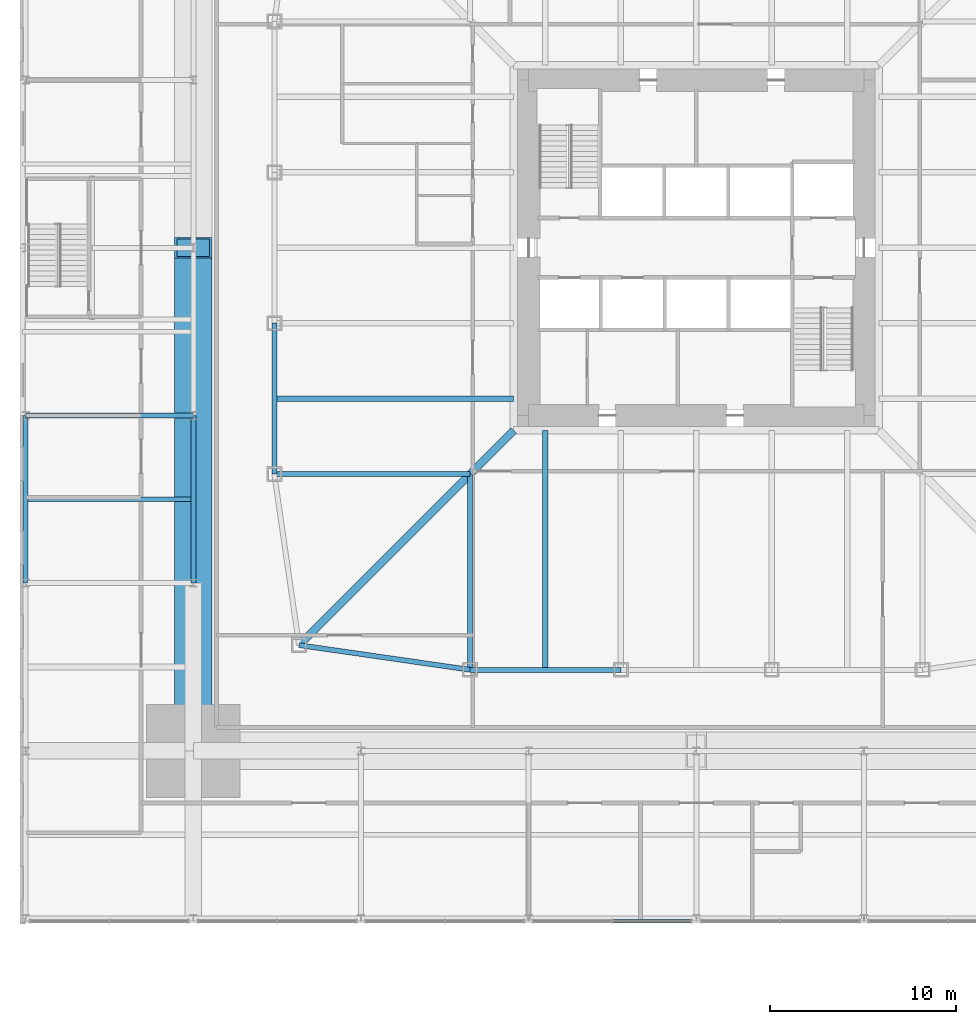
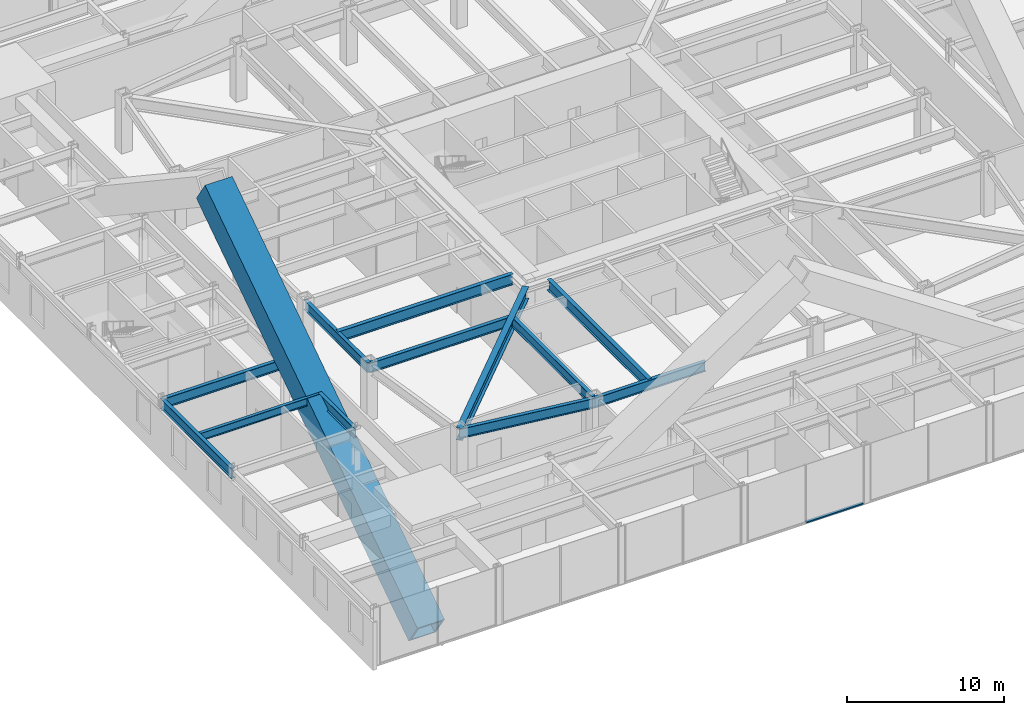
# One storey, part 7 of 32: 12 beams, 2 members, 1 element without a shape of its own.
"""IFC4 building model written with IfcOpenShell, lengths in metres."""

from ifc_helpers import new_model, si_unit, direction, frame, origin, origin_2d, place, context, subcontext, project, spatial, rectangle, hollow_rectangle, i_section, extrude, material, material_profile, profile_set, type_object, element, aggregate, save


model = new_model("IFC4")

# Units and contexts
model_context = context("Model", 3, precision=1e-05, world=origin(), true_north=direction((0.0, 1.0)))
body_context = subcontext(model_context, "Body", "Model", "MODEL_VIEW")
ifc_project = project(units=[si_unit("LENGTHUNIT", "METRE"), si_unit("AREAUNIT", "SQUARE_METRE"), si_unit("VOLUMEUNIT", "CUBIC_METRE"), si_unit("PLANEANGLEUNIT", "RADIAN"), si_unit("MASSUNIT", "GRAM", prefix="KILO")], contexts=[model_context])

# Site, building, storey
site_placement = place(None, origin())
site = spatial("IfcSite", under=ifc_project, at=site_placement, CompositionType="ELEMENT")
building_placement = place(site_placement, origin())
building = spatial("IfcBuilding", under=site, at=building_placement, Name="Iwan Alto Co-Living Towers", CompositionType="ELEMENT")
storey_placement = place(building_placement, frame((0.0, 0.0, 6.0)))
storey = spatial("IfcBuildingStorey", under=building, at=storey_placement, Name="L01", CompositionType="ELEMENT", Elevation=6.0)

# Curtain wall, member
ifc_material_1 = material(Name="Bronze aluminium stick frame", Category="aluminium")
curtain_wall_type = type_object("IfcCurtainWallType", Name="CURTAIN WALL CW-E", PredefinedType="NOTDEFINED", material=ifc_material_1)
curtain_wall_placement = place(storey_placement, origin())
curtain_wall = element("IfcCurtainWall", 1, at=curtain_wall_placement, inside=storey, type_object=curtain_wall_type, Name="Podium curtain wall S L01", PredefinedType="NOTDEFINED")
ifc_material_2 = material(Name="Aluminium 6063-T6 bronze anodised", Category="aluminium")
ifc_material_profile_1 = material_profile(ifc_material_2, rectangle(XDim=0.199951171875, YDim=0.10009765625, at=origin_2d()), Name="AL 200X100")
ifc_profile_set_1 = profile_set([ifc_material_profile_1], Name="Aluminium 6063-T6 bronze anodised")
member_type_1 = type_object("IfcMemberType", Name="CW-E TRANSOM 200X100", PredefinedType="USERDEFINED", material=ifc_profile_set_1)
member_1_placement = place(storey_placement, frame((-4.4599609375, -36.14990234375, 0.050048828125), z_axis=(1.0, 0.0, 0.0), x_axis=(0.0, 1.0, 0.0)))
member_1 = element("IfcMember", 2, at=member_1_placement, type_object=member_type_1, Name="CW-E transom 2.1", ObjectType="TRANSOM", PredefinedType="USERDEFINED", context=body_context, shape_type="SweptSolid", body=[
    extrude(rectangle(XDim=0.199951171875, YDim=0.10009765625, at=origin_2d()), origin(), (0.0, 0.0, 1.0), 4.17431640625),
])
aggregate(curtain_wall, [member_1])

# Beams
ifc_material_3 = material(Name="Steel ASTM A992 Gr 50", Category="steel")
ifc_material_profile_2 = material_profile(ifc_material_3, i_section(OverallWidth=0.2666015625, OverallDepth=0.76953125, WebThickness=0.015625, FlangeThickness=0.025390625, at=origin_2d()), Name="W30X132")
ifc_profile_set_2 = profile_set([ifc_material_profile_2], Name="Steel ASTM A992 Gr 50")
beam_type_1 = type_object("IfcBeamType", Name="PODIUM BEAM W30X132", PredefinedType="BEAM", material=ifc_profile_set_2)
for number, where, z_axis, x_axis, name in (
    (3, (-36.0, -18.0, 3.865234375), (0.0, 1.0, 0.0), (-1.0, 0.0, 0.0), "Podium beam 1/C-1/D L02"),
    (4, (-36.0, -9.0, 3.865234375), (1.0, 0.0, 0.0), (0.0, 1.0, 0.0), "Podium beam 1/D-2/D L02"),
    (5, (-27.0, -18.0, 3.865234375), (0.0, 1.0, 0.0), (-1.0, 0.0, 0.0), "Podium beam 2/C-2/D L02"),
):
    element("IfcBeam", number, at=place(storey_placement, frame(where, z_axis=z_axis, x_axis=x_axis)), inside=storey, type_object=beam_type_1, Name=name, PredefinedType="BEAM", context=body_context, shape_type="SweptSolid", body=[
        extrude(i_section(OverallWidth=0.2666015625, OverallDepth=0.76953125, WebThickness=0.015625, FlangeThickness=0.025390625, at=origin_2d()), origin(), (0.0, 0.0, 1.0), 9.0),
    ])
ifc_material_4 = material(Name="Steel ASTM A992 Gr 50", Category="steel")
ifc_material_profile_3 = material_profile(ifc_material_4, i_section(OverallWidth=0.23046875, OverallDepth=0.6171875, WebThickness=0.01318359375, FlangeThickness=0.022216796875, at=origin_2d()), Name="W24X94")
ifc_profile_set_3 = profile_set([ifc_material_profile_3], Name="Steel ASTM A992 Gr 50")
beam_type_2 = type_object("IfcBeamType", Name="PODIUM SECONDARY BEAM W24X94", PredefinedType="JOIST", material=ifc_profile_set_3)
beam_1_placement = place(storey_placement, frame((-35.86669921875, -13.5, 3.94140625), z_axis=(1.0, 0.0, 0.0), x_axis=(0.0, 1.0, 0.0)))
element("IfcBeam", 6, at=beam_1_placement, inside=storey, type_object=beam_type_2, Name="Podium secondary beam 1/C L02", PredefinedType="JOIST", context=body_context, shape_type="SweptSolid", body=[
    extrude(i_section(OverallWidth=0.23046875, OverallDepth=0.6171875, WebThickness=0.01318359375, FlangeThickness=0.022216796875, at=origin_2d()), origin(), (0.0, 0.0, 1.0), 8.7333984375),
])
ifc_material_5 = material(Name="Steel ASTM A992 Gr 50", Category="steel")
ifc_material_profile_4 = material_profile(ifc_material_5, i_section(OverallWidth=0.424072265625, OverallDepth=0.947509765625, WebThickness=0.02392578125, FlangeThickness=0.042724609375, at=origin_2d()), Name="W36X302")
ifc_profile_set_4 = profile_set([ifc_material_profile_4], Name="Steel ASTM A992 Gr 50")
beam_type_3 = type_object("IfcBeamType", Name="T1 CORNER GIRDER W36X302", PredefinedType="BEAM", material=ifc_profile_set_4)
beam_2_placement = place(storey_placement, frame((-21.32568359375, -21.32568359375, 3.7763671875), z_axis=(0.707106781187, 0.707106781187, 0.0), x_axis=(-0.707106781187, 0.707106781187, 0.0)))
element("IfcBeam", 7, at=beam_2_placement, inside=storey, type_object=beam_type_3, Name="T1 corner girder CSW L02", PredefinedType="BEAM", context=body_context, shape_type="SweptSolid", body=[
    extrude(i_section(OverallWidth=0.424072265625, OverallDepth=0.947509765625, WebThickness=0.02392578125, FlangeThickness=0.042724609375, at=origin_2d()), origin(), (0.0, 0.0, 1.0), 16.296875),
])
ifc_material_6 = material(Name="Steel ASTM A992 Gr 50", Category="steel")
ifc_material_profile_5 = material_profile(ifc_material_6, i_section(OverallWidth=0.2666015625, OverallDepth=0.761962890625, WebThickness=0.014404296875, FlangeThickness=0.021484375, at=origin_2d()), Name="W30X116")
ifc_profile_set_5 = profile_set([ifc_material_profile_5], Name="Steel ASTM A992 Gr 50")
beam_type_4 = type_object("IfcBeamType", Name="T1 EDGE BEAM W30X116", PredefinedType="BEAM", material=ifc_profile_set_5)
beam_3_placement = place(storey_placement, frame((-21.32568359375, -21.32568359375, 3.868896484375), z_axis=(0.989746234347, -0.142836940589, 0.0), x_axis=(0.142836940589, 0.989746234347, 0.0)))
element("IfcBeam", 8, at=beam_3_placement, inside=storey, type_object=beam_type_4, Name="T1 edge beam CSW L02", PredefinedType="BEAM", context=body_context, shape_type="SweptSolid", body=[
    extrude(i_section(OverallWidth=0.2666015625, OverallDepth=0.761962890625, WebThickness=0.014404296875, FlangeThickness=0.021484375, at=origin_2d()), origin(), (0.0, 0.0, 1.0), 9.270751953125),
])
for number, where, z_axis, x_axis, name in (
    (9, (-12.14990234375, -22.64990234375, 3.868896484375), (1.0, 0.0, 0.0), (0.0, 1.0, 0.0), "T1 edge beam S1 L02"),
    (10, (-22.64990234375, -4.050048828125, 3.868896484375), (0.0, -1.0, 0.0), (1.0, 0.0, 0.0), "T1 edge beam W3 L02"),
):
    element("IfcBeam", number, at=place(storey_placement, frame(where, z_axis=z_axis, x_axis=x_axis)), inside=storey, type_object=beam_type_4, Name=name, PredefinedType="BEAM", context=body_context, shape_type="SweptSolid", body=[
        extrude(i_section(OverallWidth=0.2666015625, OverallDepth=0.761962890625, WebThickness=0.014404296875, FlangeThickness=0.021484375, at=origin_2d()), origin(), (0.0, 0.0, 1.0), 8.099853515625),
    ])

# Member
ifc_material_7 = material(Name="Steel ASTM A572 Gr 42", Category="steel")
ifc_material_profile_6 = material_profile(ifc_material_7, hollow_rectangle(XDim=2.0, YDim=2.0, WallThickness=0.139892578125, at=origin_2d()), Name="BOX 2000X2000X140")
ifc_profile_set_6 = profile_set([ifc_material_profile_6], Name="Steel ASTM A572 Gr 42")
member_type_2 = type_object("IfcMemberType", Name="T1 MEGA BRACE BOX 2000X2000X140", PredefinedType="BRACE", material=ifc_profile_set_6)
member_2_placement = place(storey_placement, frame((-27.0, -27.0, -6.0), z_axis=(0.0, 0.832050294338, 0.554700196225), x_axis=(-1.0, 0.0, 0.0)))
element("IfcMember", 11, at=member_2_placement, inside=storey, type_object=member_type_2, Name="T1 mega brace Z1A W 2 lower", PredefinedType="BRACE", context=body_context, shape_type="SweptSolid", body=[
    extrude(hollow_rectangle(XDim=2.0, YDim=2.0, WallThickness=0.139892578125, at=origin_2d()), origin(), (0.0, 0.0, 1.0), 32.449951171875),
])

# Beams
ifc_material_8 = material(Name="Steel ASTM A992 Gr 50", Category="steel")
ifc_material_profile_7 = material_profile(ifc_material_8, i_section(OverallWidth=0.2666015625, OverallDepth=0.761962890625, WebThickness=0.014404296875, FlangeThickness=0.021484375, at=origin_2d()), Name="W30X116")
ifc_profile_set_7 = profile_set([ifc_material_profile_7], Name="Steel ASTM A992 Gr 50")
beam_type_5 = type_object("IfcBeamType", Name="T1 RADIAL BEAM W30X116", PredefinedType="BEAM", material=ifc_profile_set_7)
for number, where, z_axis, x_axis, name in (
    (12, (-12.14990234375, -22.64990234375, 3.868896484375), (0.0, 1.0, 0.0), (-1.0, 0.0, 0.0), "T1 radial beam S1 L02"),
    (13, (-22.64990234375, -12.14990234375, 3.868896484375), (1.0, 0.0, 0.0), (0.0, 1.0, 0.0), "T1 radial beam W4 L02"),
):
    element("IfcBeam", number, at=place(storey_placement, frame(where, z_axis=z_axis, x_axis=x_axis)), inside=storey, type_object=beam_type_5, Name=name, PredefinedType="BEAM", context=body_context, shape_type="SweptSolid", body=[
        extrude(i_section(OverallWidth=0.2666015625, OverallDepth=0.761962890625, WebThickness=0.014404296875, FlangeThickness=0.021484375, at=origin_2d()), origin(), (0.0, 0.0, 1.0), 10.5),
    ])
ifc_material_9 = material(Name="Steel ASTM A992 Gr 50", Category="steel")
ifc_material_profile_8 = material_profile(ifc_material_9, i_section(OverallWidth=0.2919921875, OverallDepth=0.8408203125, WebThickness=0.0146484375, FlangeThickness=0.021728515625, at=origin_2d()), Name="W33X130")
ifc_profile_set_8 = profile_set([ifc_material_profile_8], Name="Steel ASTM A992 Gr 50")
beam_type_6 = type_object("IfcBeamType", Name="T1 SECONDARY BEAM W33X130", PredefinedType="JOIST", material=ifc_profile_set_8)
for number, where, z_axis, x_axis, name in (
    (14, (-8.10009765625, -22.64990234375, 3.82958984375), (0.0, 1.0, 0.0), (-1.0, 0.0, 0.0), "T1 secondary beam S1 L02"),
    (15, (-22.64990234375, -8.10009765625, 3.82958984375), (1.0, 0.0, 0.0), (0.0, 1.0, 0.0), "T1 secondary beam W3 L02"),
):
    element("IfcBeam", number, at=place(storey_placement, frame(where, z_axis=z_axis, x_axis=x_axis)), inside=storey, type_object=beam_type_6, Name=name, PredefinedType="JOIST", context=body_context, shape_type="SweptSolid", body=[
        extrude(i_section(OverallWidth=0.2919921875, OverallDepth=0.8408203125, WebThickness=0.0146484375, FlangeThickness=0.021728515625, at=origin_2d()), origin(), (0.0, 0.0, 1.0), 12.847900390625),
    ])

save(model, "model.ifc")
